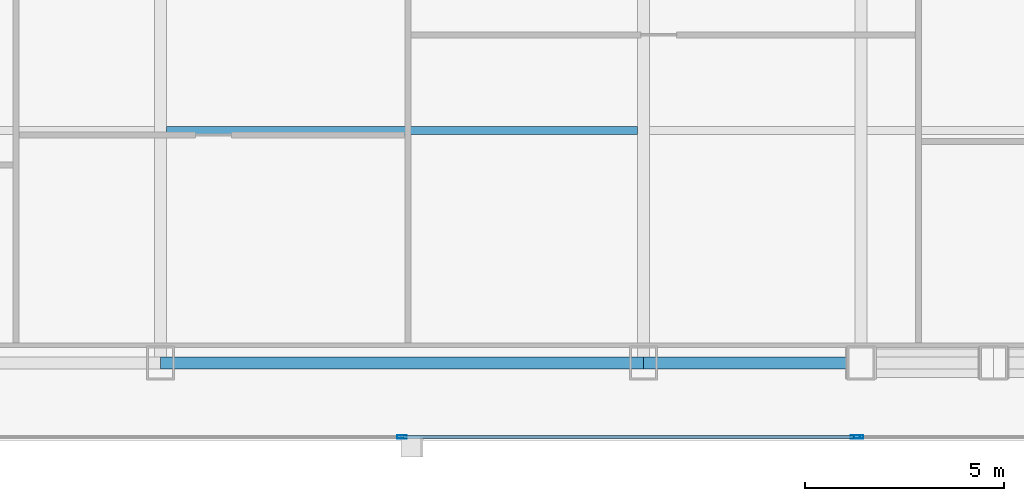
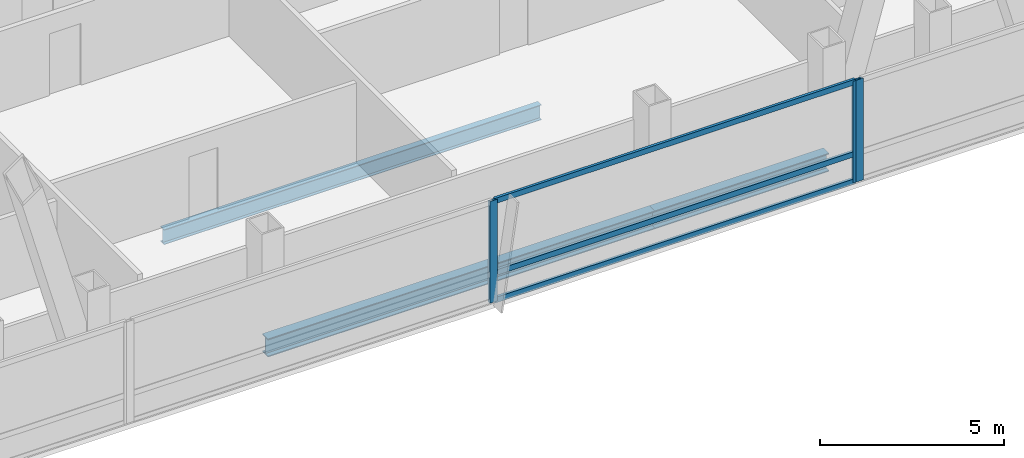
# One storey, part 14 of 31: 6 members, 3 beams, 2 elements without a shape of their own.
"""IFC4 building model written with IfcOpenShell, lengths in metres."""

from ifc_helpers import new_model, si_unit, direction, frame, origin, origin_2d, place, context, subcontext, project, spatial, hollow_rectangle, i_section, extrude, material, material_profile, profile_set, type_object, element, aggregate, save


model = new_model("IFC4")

# Units and contexts
model_context = context("Model", 3, precision=1e-05, world=origin(), true_north=direction((0.0, 1.0)))
body_context = subcontext(model_context, "Body", "Model", "MODEL_VIEW")
ifc_project = project(units=[si_unit("LENGTHUNIT", "METRE"), si_unit("AREAUNIT", "SQUARE_METRE"), si_unit("VOLUMEUNIT", "CUBIC_METRE"), si_unit("PLANEANGLEUNIT", "RADIAN"), si_unit("MASSUNIT", "GRAM", prefix="KILO")], contexts=[model_context])

# Site, building, storey
site_placement = place(None, origin())
site = spatial("IfcSite", under=ifc_project, at=site_placement, CompositionType="ELEMENT")
building_placement = place(site_placement, origin())
building = spatial("IfcBuilding", under=site, at=building_placement, Name="Khoronbel Lancet Exchange", CompositionType="ELEMENT")
storey_placement = place(building_placement, frame((0.0, 0.0, 168.60009765625)))
storey = spatial("IfcBuildingStorey", under=building, at=storey_placement, Name="L42", CompositionType="ELEMENT", Elevation=168.60009765625)

# Beams
ifc_material_1 = material(Name="Steel S355", Category="steel")
ifc_material_profile_1 = material_profile(ifc_material_1, i_section(OverallWidth=0.199951171875, OverallDepth=0.5, WebThickness=0.01025390625, FlangeThickness=0.01611328125, at=origin_2d()), Name="IPE 500")
ifc_profile_set_1 = profile_set([ifc_material_profile_1], Name="Steel S355")
beam_type_1 = type_object("IfcBeamType", Name="BM-BJ3", PredefinedType="JOIST", material=ifc_profile_set_1)
beam_1_placement = place(storey_placement, frame((30.52490234375, 16.0, -0.41015625), z_axis=(1.0, 0.0, 0.0), x_axis=(0.0, 1.0, 0.0)))
element("IfcBeam", 1, at=beam_1_placement, inside=storey, type_object=beam_type_1, Name="Level L42 secondary composite joist J03", PredefinedType="JOIST", context=body_context, shape_type="SweptSolid", body=[
    extrude(i_section(OverallWidth=0.199951171875, OverallDepth=0.5, WebThickness=0.01025390625, FlangeThickness=0.01611328125, at=origin_2d()), origin(), (0.0, 0.0, 1.0), 11.85009765625),
])
ifc_material_profile_2 = material_profile(ifc_material_1, i_section(OverallWidth=0.300048828125, OverallDepth=0.60009765625, WebThickness=0.015380859375, FlangeThickness=0.030029296875, at=origin_2d()), Name="HEB 600")
ifc_profile_set_2 = profile_set([ifc_material_profile_2], Name="Steel S355")
beam_type_2 = type_object("IfcBeamType", Name="BM-BSP2", PredefinedType="SPANDREL", material=ifc_profile_set_2)
beam_2_placement = place(storey_placement, frame((30.375, 10.14990234375, -0.460205078125), z_axis=(1.0, 0.0, 0.0), x_axis=(0.0, 1.0, 0.0)))
element("IfcBeam", 2, at=beam_2_placement, inside=storey, type_object=beam_type_2, Name="Level L42 perimeter spandrel beam SP05", PredefinedType="SPANDREL", context=body_context, shape_type="SweptSolid", body=[
    extrude(i_section(OverallWidth=0.300048828125, OverallDepth=0.60009765625, WebThickness=0.015380859375, FlangeThickness=0.030029296875, at=origin_2d()), origin(), (0.0, 0.0, 1.0), 12.14990234375),
])
beam_3_placement = place(storey_placement, frame((42.52490234375, 10.14990234375, -0.460205078125), z_axis=(1.0, 0.0, 0.0), x_axis=(0.0, 1.0, 0.0)))
element("IfcBeam", 3, at=beam_3_placement, inside=storey, type_object=beam_type_2, Name="Level L42 perimeter spandrel beam SP06", PredefinedType="SPANDREL", context=body_context, shape_type="SweptSolid", body=[
    extrude(i_section(OverallWidth=0.300048828125, OverallDepth=0.60009765625, WebThickness=0.015380859375, FlangeThickness=0.030029296875, at=origin_2d()), origin(), (0.0, 0.0, 1.0), 5.47509765625),
])

# Curtain wall, members
ifc_material_2 = material(Name="Low-E Solar Control Insulating Glass", Category="glass")
curtain_wall_type = type_object("IfcCurtainWallType", Name="CW-3", PredefinedType="NOTDEFINED", material=ifc_material_2)
curtain_wall_1_placement = place(storey_placement, origin())
curtain_wall_1 = element("IfcCurtainWall", 4, at=curtain_wall_1_placement, inside=storey, type_object=curtain_wall_type, Name="Unitised curtain wall CW-L42-SCV", PredefinedType="NOTDEFINED")
ifc_material_3 = material(Name="Bronze-Anodised Aluminium 6063-T6", Category="aluminium")
ifc_material_profile_3 = material_profile(ifc_material_3, hollow_rectangle(XDim=0.0849609375, YDim=0.239990234375, WallThickness=0.006103515625, at=origin_2d()), Name="ALU MULLION 85x240")
ifc_profile_set_3 = profile_set([ifc_material_profile_3], Name="Bronze-Anodised Aluminium 6063-T6")
member_type_1 = type_object("IfcMemberType", Name="MEM-CWM1", PredefinedType="MULLION", material=ifc_profile_set_3)
member_1_placement = place(storey_placement, frame((36.449951171875, 8.2900390625, 0.0), z_axis=(0.0, 0.0, 1.0), x_axis=(0.0, 1.0, 0.0)))
member_1 = element("IfcMember", 5, at=member_1_placement, type_object=member_type_1, Name="CW3 mullion 2", PredefinedType="MULLION", context=body_context, shape_type="SweptSolid", body=[
    extrude(hollow_rectangle(XDim=0.0849609375, YDim=0.239990234375, WallThickness=0.006103515625, at=origin_2d()), origin(), (0.0, 0.0, 1.0), 3.3798828125),
])
member_2_placement = place(storey_placement, frame((47.857421875, 8.2900390625, 0.0), z_axis=(0.0, 0.0, 1.0), x_axis=(0.0, 1.0, 0.0)))
member_2 = element("IfcMember", 6, at=member_2_placement, type_object=member_type_1, Name="CW3 mullion 3", PredefinedType="MULLION", context=body_context, shape_type="SweptSolid", body=[
    extrude(hollow_rectangle(XDim=0.0849609375, YDim=0.239990234375, WallThickness=0.006103515625, at=origin_2d()), origin(), (0.0, 0.0, 1.0), 3.3798828125),
])

# Curtain wall, member
curtain_wall_2_placement = place(storey_placement, origin())
curtain_wall_2 = element("IfcCurtainWall", 7, at=curtain_wall_2_placement, inside=storey, type_object=curtain_wall_type, Name="Unitised curtain wall CW-L42-SEB", PredefinedType="NOTDEFINED")
member_3_placement = place(storey_placement, frame((47.9423828125, 8.2900390625, 0.0), z_axis=(0.0, 0.0, 1.0), x_axis=(0.0, 1.0, 0.0)))
member_3 = element("IfcMember", 8, at=member_3_placement, type_object=member_type_1, Name="CW3 mullion 1", PredefinedType="MULLION", context=body_context, shape_type="SweptSolid", body=[
    extrude(hollow_rectangle(XDim=0.0849609375, YDim=0.239990234375, WallThickness=0.006103515625, at=origin_2d()), origin(), (0.0, 0.0, 1.0), 3.3798828125),
])
aggregate(curtain_wall_2, [member_3])

# Member
ifc_material_profile_4 = material_profile(ifc_material_3, hollow_rectangle(XDim=0.0849609375, YDim=0.179931640625, WallThickness=0.0048828125, at=origin_2d()), Name="ALU TRANSOM 85x180")
ifc_profile_set_4 = profile_set([ifc_material_profile_4], Name="Bronze-Anodised Aluminium 6063-T6")
member_type_2 = type_object("IfcMemberType", Name="MEM-CWT1", PredefinedType="USERDEFINED", material=ifc_profile_set_4)
member_4_placement = place(storey_placement, frame((36.492431640625, 8.2900390625, 0.04248046875), z_axis=(1.0, 0.0, 0.0), x_axis=(0.0, 1.0, 0.0)))
member_4 = element("IfcMember", 9, at=member_4_placement, type_object=member_type_2, Name="CW3 transom 2.1", ObjectType="TRANSOM", PredefinedType="USERDEFINED", context=body_context, shape_type="SweptSolid", body=[
    extrude(hollow_rectangle(XDim=0.0849609375, YDim=0.179931640625, WallThickness=0.0048828125, at=origin_2d()), origin(), (0.0, 0.0, 1.0), 11.322509765625),
])

member_5_placement = place(storey_placement, frame((36.492431640625, 8.2900390625, 0.949951171875), z_axis=(1.0, 0.0, 0.0), x_axis=(0.0, 1.0, 0.0)))
member_5 = element("IfcMember", 10, at=member_5_placement, type_object=member_type_2, Name="CW3 transom 2.2", ObjectType="TRANSOM", PredefinedType="USERDEFINED", context=body_context, shape_type="SweptSolid", body=[
    extrude(hollow_rectangle(XDim=0.0849609375, YDim=0.179931640625, WallThickness=0.0048828125, at=origin_2d()), origin(), (0.0, 0.0, 1.0), 11.322509765625),
])

member_6_placement = place(storey_placement, frame((36.492431640625, 8.2900390625, 3.33740234375), z_axis=(1.0, 0.0, 0.0), x_axis=(0.0, 1.0, 0.0)))
member_6 = element("IfcMember", 11, at=member_6_placement, type_object=member_type_2, Name="CW3 transom 2.3", ObjectType="TRANSOM", PredefinedType="USERDEFINED", context=body_context, shape_type="SweptSolid", body=[
    extrude(hollow_rectangle(XDim=0.0849609375, YDim=0.179931640625, WallThickness=0.0048828125, at=origin_2d()), origin(), (0.0, 0.0, 1.0), 11.322509765625),
])

aggregate(curtain_wall_1, [member_1, member_2, member_4, member_5, member_6])

save(model, "model.ifc")
